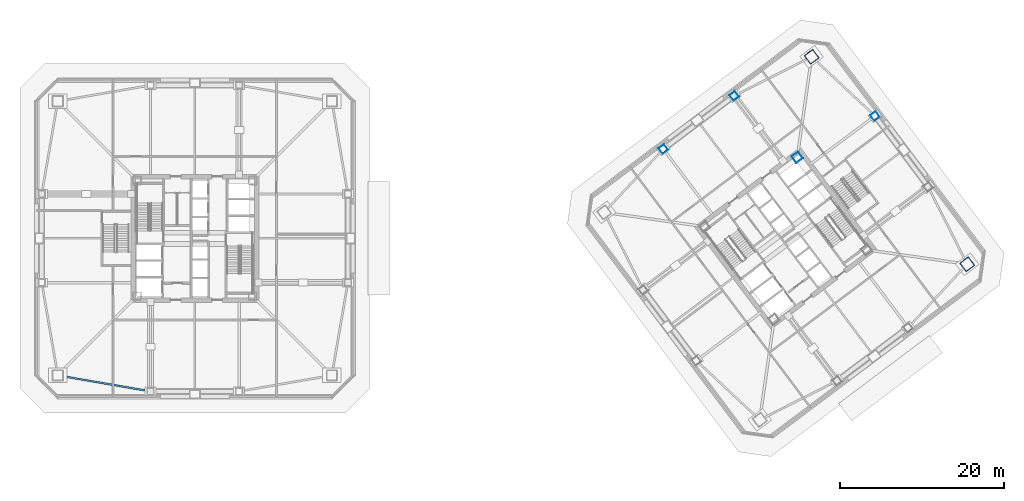
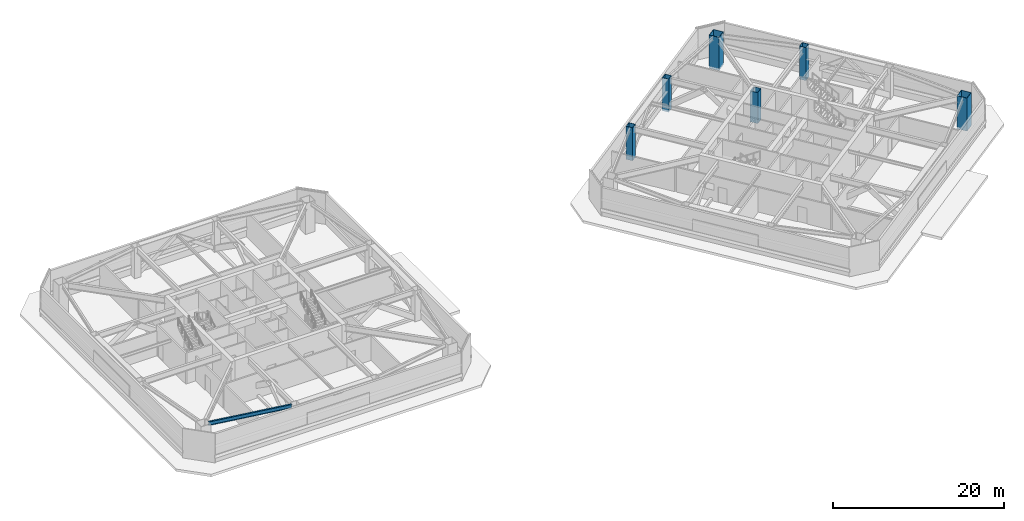
# One storey, part 2 of 15: 6 columns, 1 beam.
"""IFC4 building model written with IfcOpenShell, lengths in metres."""

from ifc_helpers import new_model, si_unit, direction, frame, origin, origin_2d, place, context, subcontext, project, spatial, hollow_rectangle, i_section, extrude, material, material_profile, profile_set, type_object, element, save


model = new_model("IFC4")

# Units and contexts
model_context = context("Model", 3, precision=1e-05, world=origin(), true_north=direction((0.0, 1.0)))
body_context = subcontext(model_context, "Body", "Model", "MODEL_VIEW")
ifc_project = project(units=[si_unit("LENGTHUNIT", "METRE"), si_unit("AREAUNIT", "SQUARE_METRE"), si_unit("VOLUMEUNIT", "CUBIC_METRE"), si_unit("PLANEANGLEUNIT", "RADIAN"), si_unit("MASSUNIT", "GRAM", prefix="KILO")], contexts=[model_context])

# Site, building, storey
site_placement = place(None, origin())
site = spatial("IfcSite", under=ifc_project, at=site_placement, CompositionType="ELEMENT")
building_placement = place(site_placement, origin())
building = spatial("IfcBuilding", under=site, at=building_placement, Name="Tashvorn Skyway Center", CompositionType="ELEMENT")
storey_placement = place(building_placement, frame((0.0, 0.0, 109.800048828125)))
storey = spatial("IfcBuildingStorey", under=building, at=storey_placement, Name="L29", CompositionType="ELEMENT", Elevation=109.800048828125)

# Columns
ifc_material_1 = material(Name="Steel ASTM A572 Grade 50", Category="steel")
ifc_material_profile_1 = material_profile(ifc_material_1, hollow_rectangle(XDim=1.0, YDim=1.0, WallThickness=0.0400390625, at=origin_2d()), Name="BOX1000x1000x40")
ifc_profile_set_1 = profile_set([ifc_material_profile_1], Name="Steel ASTM A572 Grade 50")
column_type_1 = type_object("IfcColumnType", Name="COL-BOX1000x1000x40", PredefinedType="COLUMN", material=ifc_profile_set_1)
column_placement = place(storey_placement, frame((115.409912109375, 41.8701171875, 0.0), z_axis=(0.0, 0.0, 1.0), x_axis=(0.799999996291, 0.600000004945, 0.0)))
element("IfcColumn", 1, at=column_placement, inside=storey, type_object=column_type_1, Name="Tower 2 L29 Core Corner Column CC-NE", PredefinedType="COLUMN", context=body_context, shape_type="SweptSolid", body=[
    extrude(hollow_rectangle(XDim=1.0, YDim=1.0, WallThickness=0.0400390625, at=origin_2d()), origin(), (0.0, 0.0, 1.0), 4.419921875),
])
ifc_material_profile_2 = material_profile(ifc_material_1, hollow_rectangle(XDim=1.300048828125, YDim=1.300048828125, WallThickness=0.050048828125, at=origin_2d()), Name="BOX1300x1300x50")
ifc_profile_set_2 = profile_set([ifc_material_profile_2], Name="Steel ASTM A572 Grade 50")
column_type_2 = type_object("IfcColumnType", Name="COL-BOX1300x1300x50", PredefinedType="COLUMN", material=ifc_profile_set_2)
for number, where, z_axis, x_axis, name in (
    (2, (136.1201171875, 28.840087890625, -0.295166015625), (0.0, 0.0, 1.0), (0.799999996291, 0.600000004945, 0.0), "Tower 2 L29 Mega-Column MC-SE"),
    (3, (117.159912109375, 54.1201171875, -0.295166015625), (0.0, 0.0, 1.0), (0.799999996291, 0.600000004945, 0.0), "Tower 2 L29 Mega-Column MC-NE"),
):
    element("IfcColumn", number, at=place(storey_placement, frame(where, z_axis=z_axis, x_axis=x_axis)), inside=storey, type_object=column_type_2, Name=name, PredefinedType="COLUMN", context=body_context, shape_type="SweptSolid", body=[
        extrude(hollow_rectangle(XDim=1.300048828125, YDim=1.300048828125, WallThickness=0.050048828125, at=origin_2d()), origin(), (0.0, 0.0, 1.0), 4.715087890625),
    ])
ifc_material_profile_3 = material_profile(ifc_material_1, hollow_rectangle(XDim=0.85009765625, YDim=0.85009765625, WallThickness=0.034912109375, at=origin_2d()), Name="BOX850x850x35")
ifc_profile_set_3 = profile_set([ifc_material_profile_3], Name="Steel ASTM A572 Grade 50")
column_type_3 = type_object("IfcColumnType", Name="COL-BOX850x850x35", PredefinedType="COLUMN", material=ifc_profile_set_3)
for number, where, z_axis, x_axis, name in (
    (4, (124.8798828125, 46.909912109375, -0.295166015625), (0.0, 0.0, 1.0), (0.799999996291, 0.600000004945, 0.0), "Tower 2 L29 Perimeter Column FC-E2"),
    (5, (107.72998046875, 49.360107421875, -0.295166015625), (0.0, 0.0, 1.0), (0.799999996291, 0.600000004945, 0.0), "Tower 2 L29 Perimeter Column FC-N1"),
    (6, (99.090087890625, 42.8798828125, -0.295166015625), (0.0, 0.0, 1.0), (0.799999996291, 0.600000004945, 0.0), "Tower 2 L29 Perimeter Column FC-N2"),
):
    element("IfcColumn", number, at=place(storey_placement, frame(where, z_axis=z_axis, x_axis=x_axis)), inside=storey, type_object=column_type_3, Name=name, PredefinedType="COLUMN", context=body_context, shape_type="SweptSolid", body=[
        extrude(hollow_rectangle(XDim=0.85009765625, YDim=0.85009765625, WallThickness=0.034912109375, at=origin_2d()), origin(), (0.0, 0.0, 1.0), 4.715087890625),
    ])

# Beam
ifc_material_2 = material(Name="Steel ASTM A992 Grade 50", Category="steel")
ifc_material_profile_4 = material_profile(ifc_material_2, i_section(OverallWidth=0.2109375, OverallDepth=0.5390625, WebThickness=0.01171875, FlangeThickness=0.018798828125, at=origin_2d()), Name="W21X73")
ifc_profile_set_4 = profile_set([ifc_material_profile_4], Name="Steel ASTM A992 Grade 50")
beam_type = type_object("IfcBeamType", Name="BM-SPANDREL-W21X73", PredefinedType="SPANDREL", material=ifc_profile_set_4)
beam_placement = place(storey_placement, frame((25.935546875, 15.1904296875, 4.150390625), z_axis=(0.985432458462, -0.170067250846, 0.0), x_axis=(0.170067250846, 0.985432458462, 0.0)))
element("IfcBeam", 7, at=beam_placement, inside=storey, type_object=beam_type, Name="Tower 1 L29 Spandrel Beam 01", PredefinedType="SPANDREL", context=body_context, shape_type="SweptSolid", body=[
    extrude(i_section(OverallWidth=0.2109375, OverallDepth=0.5390625, WebThickness=0.01171875, FlangeThickness=0.018798828125, at=origin_2d()), origin(), (0.0, 0.0, 1.0), 10.402099609375),
])

save(model, "model.ifc")
